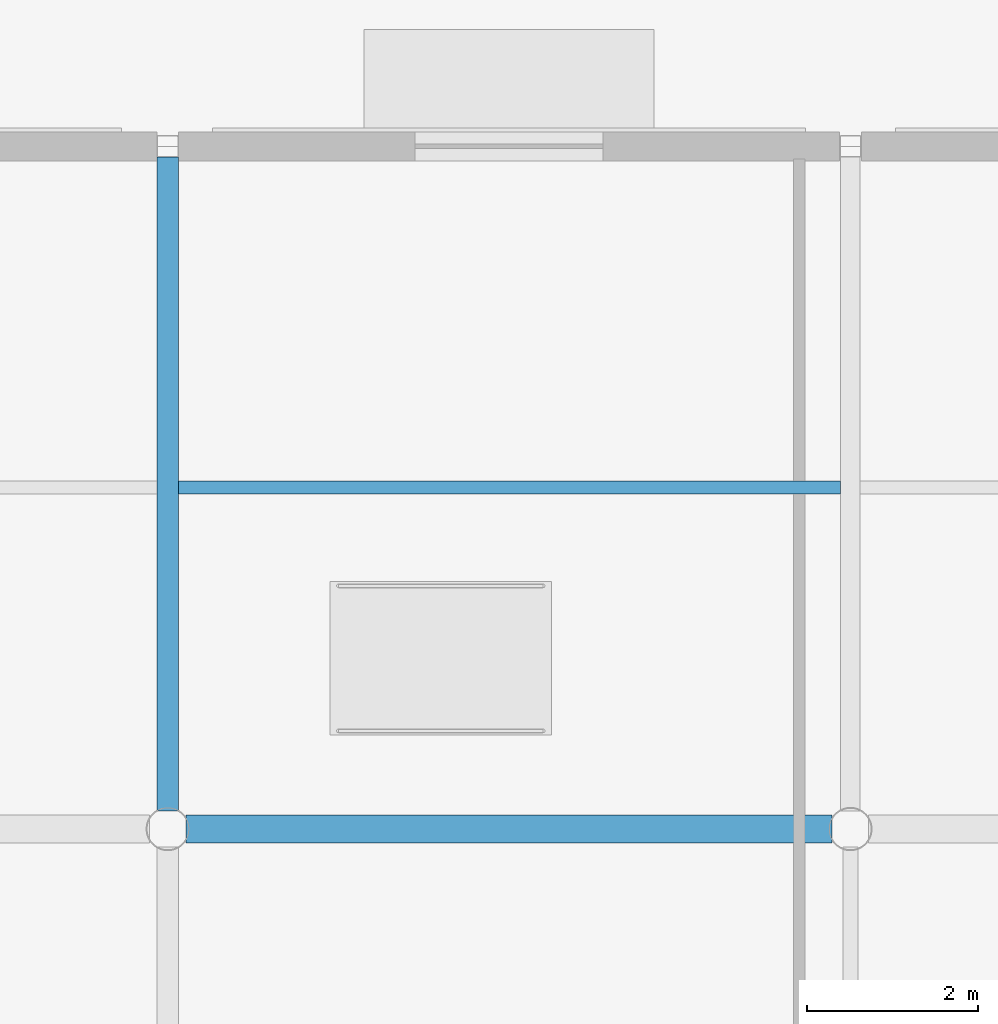
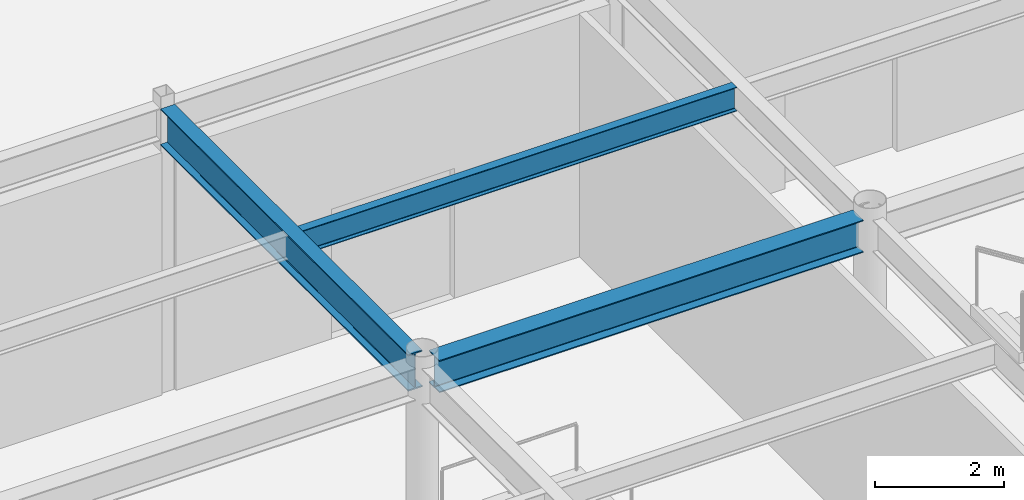
# One storey, part 40 of 128: 3 beams.
"""IFC4 building model written with IfcOpenShell, lengths in metres."""

from ifc_helpers import new_model, si_unit, direction, frame, origin, origin_2d, place, context, subcontext, project, spatial, i_section, extrude, material, material_profile, profile_set, type_object, element, save


model = new_model("IFC4")

# Units and contexts
model_context = context("Model", 3, precision=1e-05, world=origin(), true_north=direction((0.0, 1.0)))
body_context = subcontext(model_context, "Body", "Model", "MODEL_VIEW")
ifc_project = project(units=[si_unit("LENGTHUNIT", "METRE"), si_unit("AREAUNIT", "SQUARE_METRE"), si_unit("VOLUMEUNIT", "CUBIC_METRE"), si_unit("PLANEANGLEUNIT", "RADIAN"), si_unit("MASSUNIT", "GRAM", prefix="KILO")], contexts=[model_context])

# Site, building, storey
site_placement = place(None, origin())
site = spatial("IfcSite", under=ifc_project, at=site_placement, CompositionType="ELEMENT")
building_placement = place(site_placement, origin())
building = spatial("IfcBuilding", under=site, at=building_placement, Name="Solmirada Galleria", CompositionType="ELEMENT")
storey_placement = place(building_placement, origin())
storey = spatial("IfcBuildingStorey", under=building, at=storey_placement, Name="L00", CompositionType="ELEMENT", Elevation=0.0)

# Beams
ifc_material = material(Name="Steel S355 / ASTM A992 Grade 50", Category="steel")
ifc_material_profile_1 = material_profile(ifc_material, i_section(OverallWidth=0.323974609375, OverallDepth=0.611083984375, WebThickness=0.0126953125, FlangeThickness=0.01904296875, FilletRadius=0.014892578125, at=origin_2d()), Name="W24X104")
ifc_profile_set_1 = profile_set([ifc_material_profile_1], Name="Steel S355 / ASTM A992 Grade 50")
beam_type_1 = type_object("IfcBeamType", Name="BM-GIRD-W24A", PredefinedType="BEAM", material=ifc_profile_set_1)
beam_1_placement = place(storey_placement, frame((48.21337890625, 32.0, 5.074462890625), z_axis=(1.0, 0.0, 0.0), x_axis=(0.0, 1.0, 0.0)))
element("IfcBeam", 1, at=beam_1_placement, inside=storey, type_object=beam_type_1, Name="Primary beam L01 X(48..56, 32)", PredefinedType="BEAM", context=body_context, shape_type="SweptSolid", body=[
    extrude(i_section(OverallWidth=0.323974609375, OverallDepth=0.611083984375, WebThickness=0.0126953125, FlangeThickness=0.01904296875, FilletRadius=0.014892578125, at=origin_2d()), origin(), (0.0, 0.0, 1.0), 7.5732421875),
])
ifc_material_profile_2 = material_profile(ifc_material, i_section(OverallWidth=0.256103515625, OverallDepth=0.693115234375, WebThickness=0.014404296875, FlangeThickness=0.023681640625, FilletRadius=0.01806640625, at=origin_2d()), Name="W27X114")
ifc_profile_set_2 = profile_set([ifc_material_profile_2], Name="Steel S355 / ASTM A992 Grade 50")
beam_type_2 = type_object("IfcBeamType", Name="BM-GIRD-W27A", PredefinedType="BEAM", material=ifc_profile_set_2)
beam_2_placement = place(storey_placement, frame((48.0, 32.21337890625, 5.033447265625), z_axis=(0.0, 1.0, 0.0), x_axis=(-1.0, 0.0, 0.0)))
element("IfcBeam", 2, at=beam_2_placement, inside=storey, type_object=beam_type_2, Name="Primary girder L01 Y(48, 32..40)", PredefinedType="BEAM", context=body_context, shape_type="SweptSolid", body=[
    extrude(i_section(OverallWidth=0.256103515625, OverallDepth=0.693115234375, WebThickness=0.014404296875, FlangeThickness=0.023681640625, FilletRadius=0.01806640625, at=origin_2d()), origin(), (0.0, 0.0, 1.0), 7.65966796875),
])
ifc_material_profile_3 = material_profile(ifc_material, i_section(OverallWidth=0.153076171875, OverallDepth=0.455078125, WebThickness=0.008056640625, FlangeThickness=0.01318359375, FilletRadius=0.011962890625, at=origin_2d()), Name="W18X40")
ifc_profile_set_3 = profile_set([ifc_material_profile_3], Name="Steel S355 / ASTM A992 Grade 50")
beam_type_3 = type_object("IfcBeamType", Name="BM-JST-W18A", PredefinedType="JOIST", material=ifc_profile_set_3)
beam_3_placement = place(storey_placement, frame((48.1279296875, 36.0, 5.152587890625), z_axis=(1.0, 0.0, 0.0), x_axis=(0.0, 1.0, 0.0)))
element("IfcBeam", 3, at=beam_3_placement, inside=storey, type_object=beam_type_3, Name="Composite floor joist L01 (48..56, 36.0)", PredefinedType="JOIST", context=body_context, shape_type="SweptSolid", body=[
    extrude(i_section(OverallWidth=0.153076171875, OverallDepth=0.455078125, WebThickness=0.008056640625, FlangeThickness=0.01318359375, FilletRadius=0.011962890625, at=origin_2d()), origin(), (0.0, 0.0, 1.0), 7.758056640625),
])

save(model, "model.ifc")
